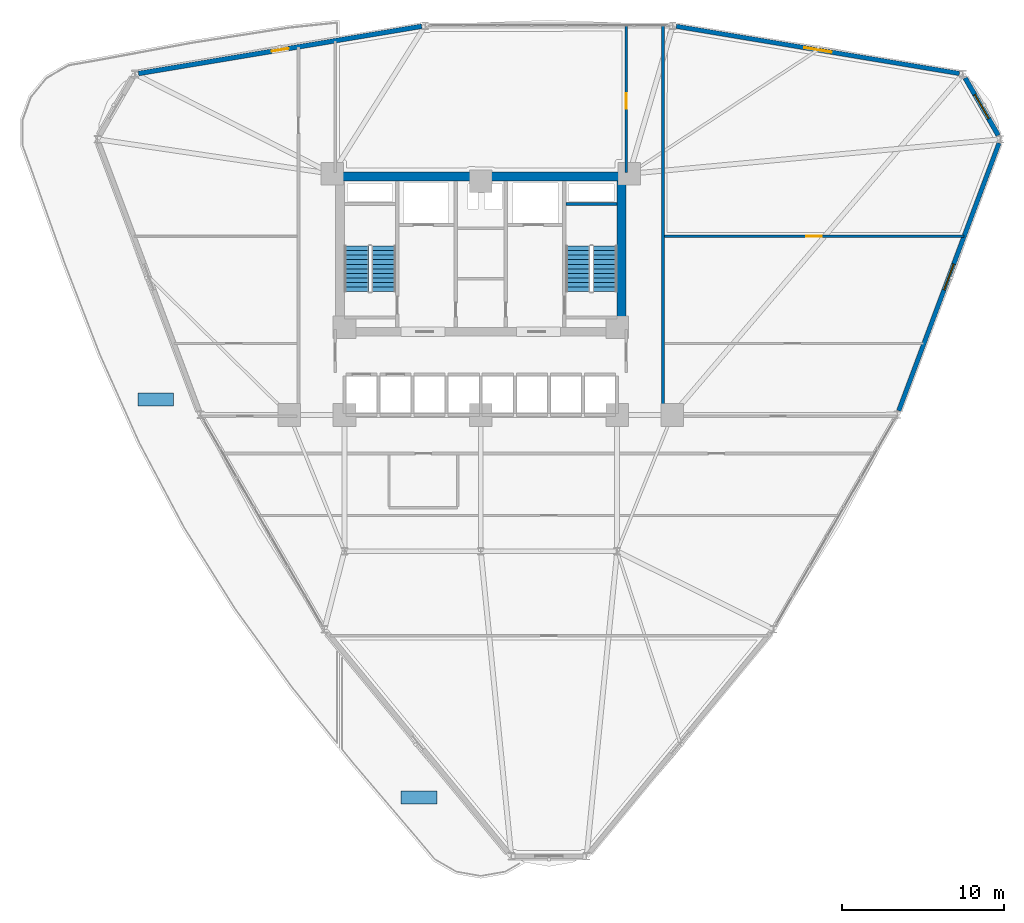
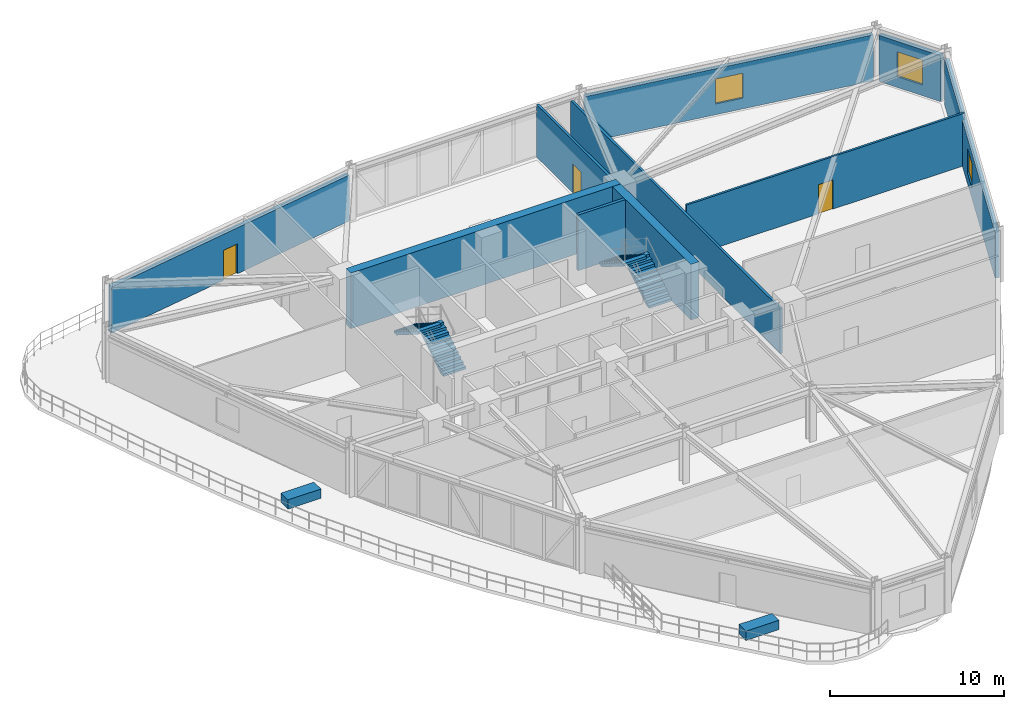
# One storey, part 16 of 21: 10 walls, 4 stair flights, 3 doors, 3 windows, 2 discrete accessories, 6 openings, 2 elements without a shape of their own.
"""IFC4 building model written with IfcOpenShell, lengths in metres."""

from ifc_helpers import new_model, si_unit, derived_unit, direction, frame, frame_2d, origin, origin_2d, place, context, subcontext, project, spatial, polyline, rectangle, outline, extrude, source, transform, mapped, material, layer, layer_set, type_object, element, fill, aggregate, save


model = new_model("IFC4")

# Units and contexts
model_context = context("Model", 3, precision=1e-05, world=origin(), true_north=direction((0.0, 1.0)))
body_context = subcontext(model_context, "Body", "Model", "MODEL_VIEW")
ifc_project = project(units=[si_unit("LENGTHUNIT", "METRE"), si_unit("AREAUNIT", "SQUARE_METRE"), si_unit("VOLUMEUNIT", "CUBIC_METRE"), si_unit("PLANEANGLEUNIT", "RADIAN"), si_unit("MASSUNIT", "GRAM", prefix="KILO"), derived_unit("THERMALTRANSMITTANCEUNIT", [(si_unit("POWERUNIT", "WATT"), 1), (si_unit("LENGTHUNIT", "METRE"), -2), (si_unit("THERMODYNAMICTEMPERATUREUNIT", "KELVIN"), -1)])], contexts=[model_context])

# Site, building, storey
site_placement = place(None, origin())
site = spatial("IfcSite", under=ifc_project, at=site_placement, CompositionType="ELEMENT")
building_placement = place(site_placement, origin())
building = spatial("IfcBuilding", under=site, at=building_placement, Name="Korsvarv Bourse and Concert Hall", CompositionType="ELEMENT")
storey_placement = place(building_placement, frame((0.0, 0.0, 63.89990234375)))
storey = spatial("IfcBuildingStorey", under=building, at=storey_placement, Name="L15", CompositionType="ELEMENT", Elevation=63.89990234375)

# Walls
ifc_material_1 = material(Name="Concrete C50/60", Category="concrete")
ifc_layer_1 = layer(ifc_material_1, 0.3798828125)
ifc_layer_set_1 = layer_set([ifc_layer_1], Name="Concrete C50/60")
wall_type_1 = type_object("IfcWallType", Name="WL-CORE-380", PredefinedType="SHEAR", material=ifc_layer_set_1)
wall_1_placement = place(storey_placement, frame((41.25, 45.39990234375, 0.0), z_axis=(0.0, 0.0, 1.0), x_axis=(1.0, 0.0, 0.0)))
element("IfcWall", 1, at=wall_1_placement, inside=storey, type_object=wall_type_1, Name="L15 stair shaft structural wall W-L15-ST2-N", PredefinedType="SHEAR", context=body_context, shape_type="SweptSolid", body=[
    extrude(rectangle(XDim=3.139892578125, YDim=0.199951171875, at=frame_2d((1.56982421875, 0.0))), origin(), (0.0, 0.0, 1.0), 3.900146484375),
])
ifc_material_2 = material(Name="Concrete C60/75", Category="concrete")
ifc_layer_2 = layer(ifc_material_2, 0.550048828125)
ifc_layer_set_2 = layer_set([ifc_layer_2], Name="Concrete C60/75")
wall_type_2 = type_object("IfcWallType", Name="WL-CORE-550", PredefinedType="SHEAR", material=ifc_layer_set_2)
wall_2_placement = place(storey_placement, frame((27.050048828125, 47.074951171875, 0.0), z_axis=(0.0, 0.0, 1.0), x_axis=(1.0, 0.0, 0.0)))
element("IfcWall", 2, at=wall_2_placement, inside=storey, type_object=wall_type_2, Name="L15 North Core Shear Wall", PredefinedType="SHEAR", context=body_context, shape_type="SweptSolid", body=[
    extrude(rectangle(XDim=17.89990234375, YDim=0.550048828125, at=frame_2d((8.949951171875, 0.0))), origin(), (0.0, 0.0, 1.0), 3.900146484375),
])
wall_3_placement = place(storey_placement, frame((44.675048828125, 37.800048828125, 0.0), z_axis=(0.0, 0.0, 1.0), x_axis=(0.0, 1.0, 0.0)))
element("IfcWall", 3, at=wall_3_placement, inside=storey, type_object=wall_type_2, Name="L15 East Core Shear Wall", PredefinedType="SHEAR", context=body_context, shape_type="SweptSolid", body=[
    extrude(rectangle(XDim=9.0, YDim=0.550048828125, at=frame_2d((4.5, 0.0))), origin(), (0.0, 0.0, 1.0), 3.900146484375),
])

# Wall, opening, window
ifc_material_3 = material(Name="Precast concrete C45/55 with terracotta rainscreen", Category="concrete")
ifc_layer_3 = layer(ifc_material_3, 0.300048828125)
ifc_layer_set_3 = layer_set([ifc_layer_3], Name="Precast concrete C45/55 with terracotta rainscreen")
wall_type_3 = type_object("IfcWallType", Name="WL-EXT-TC1", PredefinedType="SOLIDWALL", material=ifc_layer_set_3)
wall_4_placement = place(storey_placement, frame((67.876953125, 49.624267578125, 0.0), z_axis=(0.0, 0.0, 1.0), x_axis=(-0.500014317814, 0.866017137233, 0.0)))
wall_4 = element("IfcWall", 4, at=wall_4_placement, inside=storey, type_object=wall_type_3, Name="L15 terracotta exterior wall EW-L15-B01", PredefinedType="SOLIDWALL", context=body_context, shape_type="SweptSolid", body=[
    extrude(rectangle(XDim=4.0791015625, YDim=0.300048828125, at=frame_2d((2.03955078125, 0.0))), origin(), (0.0, 0.0, 1.0), 3.22998046875),
])
opening_1_placement = place(wall_4_placement, frame((1.189453125, 0.0, 0.75)))
opening_1 = element("IfcOpeningElement", 5, at=opening_1_placement, cuts=wall_4, Name="Opening W-01", PredefinedType="OPENING", context=body_context, shape_type="SweptSolid", body=[
    extrude(rectangle(XDim=1.699951171875, YDim=1.75, at=frame_2d((0.85009765625, 0.875))), frame((0.0, 0.16015625, 0.0), z_axis=(0.0, -1.0, 0.0), x_axis=(1.0, 0.0, 0.0)), (0.0, 0.0, 1.0), 0.320068359375),
])
ifc_material_4 = material(Name="Thermally broken aluminium frame with triple low-E glass", Category="glass")
window_type = type_object("IfcWindowType", Name="WIN-TW1", PartitioningType="SINGLE_PANEL", PredefinedType="WINDOW", material=ifc_material_4)
window_1_placement = place(opening_1_placement, origin())
window_1 = element("IfcWindow", 6, at=window_1_placement, inside=storey, type_object=window_type, Name="L15 punched facade window W-01", OverallHeight=1.75, OverallWidth=1.699951171875, PartitioningType="SINGLE_PANEL", PredefinedType="WINDOW", context=body_context, shape_type="SweptSolid", body=[
    extrude(rectangle(XDim=1.699951171875, YDim=1.75, at=frame_2d((0.85009765625, 0.875))), frame((0.0, 0.030029296875, 0.0), z_axis=(0.0, -1.0, 0.0), x_axis=(1.0, 0.0, 0.0)), (0.0, 0.0, 1.0), 0.06005859375),
])
fill(opening_1, window_1)

# Wall, opening, door
wall_5_placement = place(storey_placement, frame((32.356201171875, 56.340576171875, 0.0), z_axis=(0.0, 0.0, 1.0), x_axis=(-0.986399895449, -0.16436315359, 0.0)))
wall_5 = element("IfcWall", 7, at=wall_5_placement, inside=storey, type_object=wall_type_3, Name="L15 terracotta exterior wall EW-L15-B04", PredefinedType="SOLIDWALL", context=body_context, shape_type="SweptSolid", body=[
    extrude(rectangle(XDim=17.677490234375, YDim=0.300048828125, at=frame_2d((8.8388671875, 0.0))), origin(), (0.0, 0.0, 1.0), 3.22998046875),
])
opening_2_placement = place(wall_5_placement, frame((8.313720703125, 0.0, 0.0)))
opening_2 = element("IfcOpeningElement", 8, at=opening_2_placement, cuts=wall_5, Name="Opening ED-02", PredefinedType="OPENING", context=body_context, shape_type="SweptSolid", body=[
    extrude(rectangle(XDim=1.050048828125, YDim=2.10009765625, at=frame_2d((0.52490234375, 1.050048828125))), frame((0.0, 0.16015625, 0.0), z_axis=(0.0, -1.0, 0.0), x_axis=(1.0, 0.0, 0.0)), (0.0, 0.0, 1.0), 0.320068359375),
])
ifc_material_5 = material(Name="Thermally broken anodised aluminium and laminated safety glass", Category="aluminium")
door_type_1 = type_object("IfcDoorType", Name="DR-EXT-TERR", OperationType="NOTDEFINED", PredefinedType="DOOR", material=ifc_material_5)
door_1_placement = place(opening_2_placement, frame((1.050048828125, 0.0, 0.0), z_axis=(0.0, 0.0, 1.0), x_axis=(-1.0, 0.0, 0.0)))
door_1 = element("IfcDoor", 9, at=door_1_placement, inside=storey, type_object=door_type_1, Name="L15 Sky Garden Terrace Access Door", OperationType="SINGLE_SWING_RIGHT", OverallHeight=2.10009765625, OverallWidth=1.050048828125, PredefinedType="DOOR", context=body_context, shape_type="SweptSolid", body=[
    extrude(rectangle(XDim=1.050048828125, YDim=2.10009765625, at=frame_2d((0.52490234375, 1.050048828125))), frame((0.0, 0.02490234375, 0.0), z_axis=(0.0, -1.0, 0.0), x_axis=(1.0, 0.0, 0.0)), (0.0, 0.0, 1.0), 0.050048828125),
])
fill(opening_2, door_1)

# Wall, opening, window
ifc_material_6 = material(Name="Precast concrete C45/55 with fluted terracotta pier", Category="concrete")
ifc_layer_4 = layer(ifc_material_6, 0.280029296875)
ifc_layer_set_4 = layer_set([ifc_layer_4], Name="Precast concrete C45/55 with fluted terracotta pier")
wall_type_4 = type_object("IfcWallType", Name="WL-EXT-TC2", PredefinedType="SOLIDWALL", material=ifc_layer_set_4)
wall_6_placement = place(storey_placement, frame((65.480712890625, 53.43505859375, 0.0), z_axis=(0.0, 0.0, 1.0), x_axis=(-0.986399895449, 0.16436315359, 0.0)))
wall_6 = element("IfcWall", 10, at=wall_6_placement, inside=storey, type_object=wall_type_4, Name="L15 terracotta exterior wall EW-L15-B02", PredefinedType="SOLIDWALL", context=body_context, shape_type="SweptSolid", body=[
    extrude(rectangle(XDim=17.677490234375, YDim=0.280029296875, at=frame_2d((8.8388671875, 0.0))), origin(), (0.0, 0.0, 1.0), 3.22998046875),
])
opening_3_placement = place(wall_6_placement, frame((7.98876953125, 0.0, 0.75)))
opening_3 = element("IfcOpeningElement", 11, at=opening_3_placement, cuts=wall_6, Name="Opening W-01", PredefinedType="OPENING", context=body_context, shape_type="SweptSolid", body=[
    extrude(rectangle(XDim=1.699951171875, YDim=1.75, at=frame_2d((0.85009765625, 0.875))), frame((0.0, 0.14990234375, 0.0), z_axis=(0.0, -1.0, 0.0), x_axis=(1.0, 0.0, 0.0)), (0.0, 0.0, 1.0), 0.300048828125),
])
window_2_placement = place(opening_3_placement, origin())
window_2 = element("IfcWindow", 12, at=window_2_placement, inside=storey, type_object=window_type, Name="L15 punched facade window W-01", OverallHeight=1.75, OverallWidth=1.699951171875, PartitioningType="SINGLE_PANEL", PredefinedType="WINDOW", context=body_context, shape_type="SweptSolid", body=[
    extrude(rectangle(XDim=1.699951171875, YDim=1.75, at=frame_2d((0.85009765625, 0.875))), frame((0.0, 0.030029296875, 0.0), z_axis=(0.0, -1.0, 0.0), x_axis=(1.0, 0.0, 0.0)), (0.0, 0.0, 1.0), 0.06005859375),
])
fill(opening_3, window_2)

wall_7_placement = place(storey_placement, frame((61.7509765625, 32.658447265625, 0.0), z_axis=(0.0, 0.0, 1.0), x_axis=(0.350833077365, 0.936438012805, 0.0)))
wall_7 = element("IfcWall", 13, at=wall_7_placement, inside=storey, type_object=wall_type_4, Name="L15 terracotta exterior wall EW-L15-B12", PredefinedType="SOLIDWALL", context=body_context, shape_type="SweptSolid", body=[
    extrude(rectangle(XDim=17.600341796875, YDim=0.280029296875, at=frame_2d((8.80029296875, 0.0))), origin(), (0.0, 0.0, 1.0), 3.22998046875),
])
opening_4_placement = place(wall_7_placement, frame((7.9501953125, 0.0, 0.75)))
opening_4 = element("IfcOpeningElement", 14, at=opening_4_placement, cuts=wall_7, Name="Opening W-01", PredefinedType="OPENING", context=body_context, shape_type="SweptSolid", body=[
    extrude(rectangle(XDim=1.699951171875, YDim=1.75, at=frame_2d((0.85009765625, 0.875))), frame((0.0, 0.14990234375, 0.0), z_axis=(0.0, -1.0, 0.0), x_axis=(1.0, 0.0, 0.0)), (0.0, 0.0, 1.0), 0.300048828125),
])
window_3_placement = place(opening_4_placement, origin())
window_3 = element("IfcWindow", 15, at=window_3_placement, inside=storey, type_object=window_type, Name="L15 punched facade window W-01", OverallHeight=1.75, OverallWidth=1.699951171875, PartitioningType="SINGLE_PANEL", PredefinedType="WINDOW", context=body_context, shape_type="SweptSolid", body=[
    extrude(rectangle(XDim=1.699951171875, YDim=1.75, at=frame_2d((0.85009765625, 0.875))), frame((0.0, 0.030029296875, 0.0), z_axis=(0.0, -1.0, 0.0), x_axis=(1.0, 0.0, 0.0)), (0.0, 0.0, 1.0), 0.06005859375),
])
fill(opening_4, window_3)

# Wall
ifc_material_7 = material(Name="Double-stud fire-rated acoustic partition", Category="gypsum")
ifc_layer_5 = layer(ifc_material_7, 0.159912109375)
ifc_layer_set_5 = layer_set([ifc_layer_5], Name="Double-stud fire-rated acoustic partition")
wall_type_5 = type_object("IfcWallType", Name="WL-INT-EI60", PredefinedType="PARTITIONING", material=ifc_layer_set_5)
wall_8_placement = place(storey_placement, frame((47.22509765625, 32.31005859375, 0.0), z_axis=(0.0, 0.0, 1.0), x_axis=(0.0, 1.0, 0.0)))
element("IfcWall", 16, at=wall_8_placement, inside=storey, type_object=wall_type_5, Name="L15 interior partition wall W-L15-TCOR-02", PredefinedType="PARTITIONING", context=body_context, shape_type="SweptSolid", body=[
    extrude(rectangle(XDim=24.046630859375, YDim=0.159912109375, at=frame_2d((12.0234375, 0.0))), origin(), (0.0, 0.0, 1.0), 3.18017578125),
])

# Wall, opening, door
wall_9_placement = place(storey_placement, frame((44.965087890625, 47.340087890625, 0.0), z_axis=(0.0, 0.0, 1.0), x_axis=(0.0, 1.0, 0.0)))
wall_9 = element("IfcWall", 17, at=wall_9_placement, inside=storey, type_object=wall_type_5, Name="L15 interior partition wall W-L15-TCOR-05", PredefinedType="PARTITIONING", context=body_context, shape_type="SweptSolid", body=[
    extrude(rectangle(XDim=9.0166015625, YDim=0.159912109375, at=frame_2d((4.50830078125, 0.0))), origin(), (0.0, 0.0, 1.0), 3.68017578125),
])
opening_5_placement = place(wall_9_placement, frame((3.92724609375, 0.0, 0.0)))
opening_5 = element("IfcOpeningElement", 18, at=opening_5_placement, cuts=wall_9, Name="Opening D-02", PredefinedType="OPENING", context=body_context, shape_type="SweptSolid", body=[
    extrude(rectangle(XDim=0.949951171875, YDim=2.050048828125, at=frame_2d((0.47509765625, 1.02490234375))), frame((0.0, 0.08984375, 0.0), z_axis=(0.0, -1.0, 0.0), x_axis=(1.0, 0.0, 0.0)), (0.0, 0.0, 1.0), 0.179931640625),
])
ifc_material_8 = material(Name="Timber and steel acoustic fire door", Category="wood")
door_type_2 = type_object("IfcDoorType", Name="DR-FD30", OperationType="NOTDEFINED", PredefinedType="DOOR", material=ifc_material_8)
door_2_placement = place(opening_5_placement, origin())
door_2 = element("IfcDoor", 19, at=door_2_placement, inside=storey, type_object=door_type_2, Name="L15 interior door DR-L15-TCOR-RM77", OperationType="SINGLE_SWING_LEFT", OverallHeight=2.050048828125, OverallWidth=0.949951171875, PredefinedType="DOOR", context=body_context, shape_type="SweptSolid", body=[
    extrude(rectangle(XDim=0.949951171875, YDim=2.050048828125, at=frame_2d((0.47509765625, 1.02490234375))), frame((0.0, 0.02490234375, 0.0), z_axis=(0.0, -1.0, 0.0), x_axis=(1.0, 0.0, 0.0)), (0.0, 0.0, 1.0), 0.050048828125),
])
fill(opening_5, door_2)

ifc_material_9 = material(Name="Insulated steel-stud office acoustic partition", Category="gypsum")
ifc_layer_6 = layer(ifc_material_9, 0.139892578125)
ifc_layer_set_6 = layer_set([ifc_layer_6], Name="Insulated steel-stud office acoustic partition")
wall_type_6 = type_object("IfcWallType", Name="WL-INT-P1", PredefinedType="PARTITIONING", material=ifc_layer_set_6)
wall_10_placement = place(storey_placement, frame((47.306884765625, 43.405029296875, 0.0), z_axis=(0.0, 0.0, 1.0), x_axis=(1.0, 0.0, 0.0)))
wall_10 = element("IfcWall", 20, at=wall_10_placement, inside=storey, type_object=wall_type_6, Name="L15 interior partition wall W-L15-TCOR-10", PredefinedType="PARTITIONING", context=body_context, shape_type="SweptSolid", body=[
    extrude(rectangle(XDim=18.4501953125, YDim=0.139892578125, at=frame_2d((9.22509765625, 0.0))), origin(), (0.0, 0.0, 1.0), 3.68017578125),
])
opening_6_placement = place(wall_10_placement, frame((8.75, 0.0, 0.0)))
opening_6 = element("IfcOpeningElement", 21, at=opening_6_placement, cuts=wall_10, Name="Opening D-03", PredefinedType="OPENING", context=body_context, shape_type="SweptSolid", body=[
    extrude(rectangle(XDim=0.949951171875, YDim=2.050048828125, at=frame_2d((0.47509765625, 1.02490234375))), frame((0.0, 0.080078125, 0.0), z_axis=(0.0, -1.0, 0.0), x_axis=(1.0, 0.0, 0.0)), (0.0, 0.0, 1.0), 0.159912109375),
])
ifc_material_10 = material(Name="Nordic oak acoustic office door", Category="wood")
door_type_3 = type_object("IfcDoorType", Name="DR-INT-1", OperationType="NOTDEFINED", PredefinedType="DOOR", material=ifc_material_10)
door_3_placement = place(opening_6_placement, origin())
door_3 = element("IfcDoor", 22, at=door_3_placement, inside=storey, type_object=door_type_3, Name="L15 interior door DR-L15-TCOR-RM33", OperationType="SINGLE_SWING_LEFT", OverallHeight=2.050048828125, OverallWidth=0.949951171875, PredefinedType="DOOR", context=body_context, shape_type="SweptSolid", body=[
    extrude(rectangle(XDim=0.949951171875, YDim=2.050048828125, at=frame_2d((0.47509765625, 1.02490234375))), frame((0.0, 0.02490234375, 0.0), z_axis=(0.0, -1.0, 0.0), x_axis=(1.0, 0.0, 0.0)), (0.0, 0.0, 1.0), 0.050048828125),
])
fill(opening_6, door_3)

# Stair, stair flights
ifc_material_11 = material(Name="Precast concrete C45/55", Category="concrete")
stair_type = type_object("IfcStairType", Name="STR-TYPE-03", PredefinedType="HALF_TURN_STAIR", material=ifc_material_11)
stair_1_placement = place(storey_placement, origin())
stair_1 = element("IfcStair", 23, at=stair_1_placement, inside=storey, type_object=stair_type, Name="L15 Tower West Exit Stair ST-T1", PredefinedType="HALF_TURN_STAIR")
stair_flight_type = type_object("IfcStairFlightType", Name="FLT-TYPE-03", PredefinedType="STRAIGHT", material=ifc_material_11)
stair_flight_1_placement = place(storey_placement, frame((30.010009765625, 40.0, 0.0), z_axis=(0.0, 0.0, 1.0), x_axis=(0.0, 1.0, 0.0)))
stair_flight_1 = element("IfcStairFlight", 24, at=stair_flight_1_placement, type_object=stair_flight_type, Name="ST-T1 flight 1", NumberOfRisers=11, NumberOfTreads=10, PredefinedType="STRAIGHT", RiserHeight=0.177272727, TreadLength=0.28, context=body_context, shape_type="SweptSolid", body=[
    extrude(outline(polyline([(0.0, 0.0), (0.0, 0.17724609375), (0.280029296875, 0.17724609375), (0.280029296875, 0.3544921875), (0.56005859375, 0.3544921875), (0.56005859375, 0.53173828125), (0.840087890625, 0.53173828125), (0.840087890625, 0.708984375), (1.1201171875, 0.708984375), (1.1201171875, 0.886474609375), (1.39990234375, 0.886474609375), (1.39990234375, 1.063720703125), (1.679931640625, 1.063720703125), (1.679931640625, 1.240966796875), (1.9599609375, 1.240966796875), (1.9599609375, 1.418212890625), (2.239990234375, 1.418212890625), (2.239990234375, 1.595458984375), (2.52001953125, 1.595458984375), (2.52001953125, 1.772705078125), (2.800048828125, 1.772705078125), (2.800048828125, 1.949951171875), (2.800048828125, 1.59521484375), (0.2802734375, 0.0), (0.0, 0.0)])), frame((0.0, 0.75, 0.0), z_axis=(0.0, -1.0, 0.0), x_axis=(1.0, 0.0, 0.0)), (0.0, 0.0, 1.0), 1.5),
])
stair_flight_2_placement = place(storey_placement, frame((28.35009765625, 42.800048828125, 1.9501953125), z_axis=(0.0, 0.0, 1.0), x_axis=(0.0, -1.0, 0.0)))
stair_flight_2 = element("IfcStairFlight", 25, at=stair_flight_2_placement, type_object=stair_flight_type, Name="ST-T1 flight 2", NumberOfRisers=11, NumberOfTreads=10, PredefinedType="STRAIGHT", RiserHeight=0.177272727, TreadLength=0.28, context=body_context, shape_type="SweptSolid", body=[
    extrude(outline(polyline([(0.0, 0.0), (0.0, 0.17724609375), (0.280029296875, 0.17724609375), (0.280029296875, 0.3544921875), (0.56005859375, 0.3544921875), (0.56005859375, 0.53173828125), (0.840087890625, 0.53173828125), (0.840087890625, 0.708984375), (1.1201171875, 0.708984375), (1.1201171875, 0.886474609375), (1.39990234375, 0.886474609375), (1.39990234375, 1.063720703125), (1.679931640625, 1.063720703125), (1.679931640625, 1.240966796875), (1.9599609375, 1.240966796875), (1.9599609375, 1.418212890625), (2.239990234375, 1.418212890625), (2.239990234375, 1.595458984375), (2.52001953125, 1.595458984375), (2.52001953125, 1.772705078125), (2.800048828125, 1.772705078125), (2.800048828125, 1.949951171875), (2.800048828125, 1.59521484375), (0.2802734375, 0.0), (0.0, 0.0)])), frame((0.0, 0.75, 0.0), z_axis=(0.0, -1.0, 0.0), x_axis=(1.0, 0.0, 0.0)), (0.0, 0.0, 1.0), 1.5),
])
aggregate(stair_1, [stair_flight_1, stair_flight_2])

stair_2_placement = place(storey_placement, origin())
stair_2 = element("IfcStair", 26, at=stair_2_placement, inside=storey, type_object=stair_type, Name="L15 Tower East Exit Stair ST-T2", PredefinedType="HALF_TURN_STAIR")
stair_flight_3_placement = place(storey_placement, frame((43.64990234375, 40.0, 0.0), z_axis=(0.0, 0.0, 1.0), x_axis=(0.0, 1.0, 0.0)))
stair_flight_3 = element("IfcStairFlight", 27, at=stair_flight_3_placement, type_object=stair_flight_type, Name="ST-T2 flight 1", NumberOfRisers=11, NumberOfTreads=10, PredefinedType="STRAIGHT", RiserHeight=0.177272727, TreadLength=0.28, context=body_context, shape_type="SweptSolid", body=[
    extrude(outline(polyline([(0.0, 0.0), (0.0, 0.17724609375), (0.280029296875, 0.17724609375), (0.280029296875, 0.3544921875), (0.56005859375, 0.3544921875), (0.56005859375, 0.53173828125), (0.840087890625, 0.53173828125), (0.840087890625, 0.708984375), (1.1201171875, 0.708984375), (1.1201171875, 0.886474609375), (1.39990234375, 0.886474609375), (1.39990234375, 1.063720703125), (1.679931640625, 1.063720703125), (1.679931640625, 1.240966796875), (1.9599609375, 1.240966796875), (1.9599609375, 1.418212890625), (2.239990234375, 1.418212890625), (2.239990234375, 1.595458984375), (2.52001953125, 1.595458984375), (2.52001953125, 1.772705078125), (2.800048828125, 1.772705078125), (2.800048828125, 1.949951171875), (2.800048828125, 1.59521484375), (0.2802734375, 0.0), (0.0, 0.0)])), frame((0.0, 0.75, 0.0), z_axis=(0.0, -1.0, 0.0), x_axis=(1.0, 0.0, 0.0)), (0.0, 0.0, 1.0), 1.5),
])
stair_flight_4_placement = place(storey_placement, frame((41.989990234375, 42.800048828125, 1.9501953125), z_axis=(0.0, 0.0, 1.0), x_axis=(0.0, -1.0, 0.0)))
stair_flight_4 = element("IfcStairFlight", 28, at=stair_flight_4_placement, type_object=stair_flight_type, Name="ST-T2 flight 2", NumberOfRisers=11, NumberOfTreads=10, PredefinedType="STRAIGHT", RiserHeight=0.177272727, TreadLength=0.28, context=body_context, shape_type="SweptSolid", body=[
    extrude(outline(polyline([(0.0, 0.0), (0.0, 0.17724609375), (0.280029296875, 0.17724609375), (0.280029296875, 0.3544921875), (0.56005859375, 0.3544921875), (0.56005859375, 0.53173828125), (0.840087890625, 0.53173828125), (0.840087890625, 0.708984375), (1.1201171875, 0.708984375), (1.1201171875, 0.886474609375), (1.39990234375, 0.886474609375), (1.39990234375, 1.063720703125), (1.679931640625, 1.063720703125), (1.679931640625, 1.240966796875), (1.9599609375, 1.240966796875), (1.9599609375, 1.418212890625), (2.239990234375, 1.418212890625), (2.239990234375, 1.595458984375), (2.52001953125, 1.595458984375), (2.52001953125, 1.772705078125), (2.800048828125, 1.772705078125), (2.800048828125, 1.949951171875), (2.800048828125, 1.59521484375), (0.2802734375, 0.0), (0.0, 0.0)])), frame((0.0, 0.75, 0.0), z_axis=(0.0, -1.0, 0.0), x_axis=(1.0, 0.0, 0.0)), (0.0, 0.0, 1.0), 1.5),
])
aggregate(stair_2, [stair_flight_3, stair_flight_4])

# Discrete accessories
ifc_material_12 = material(Name="Architectural precast concrete C45/55 with terracotta facing", Category="concrete")
discrete_accessory_type = type_object("IfcDiscreteAccessoryType", Name="ACC-PLN-1", PredefinedType="USERDEFINED", material=ifc_material_12)
shared_shape = source(origin(), body_context, "Body", "SweptSolid", [
    extrude(rectangle(XDim=2.199951171875, YDim=0.800048828125, at=origin_2d()), origin(), (0.0, 0.0, 1.0), 0.64990234375),
])
for number, where, z_axis, x_axis, name in (
    (29, (15.98828125, 33.364990234375, 0.000244140625), (0.0, 0.0, 1.0), (1.0, 0.0, 0.0), "L15 landscaped terracotta planter 1"),
    (30, (32.197021484375, 8.833740234375, 0.000244140625), (0.0, 0.0, 1.0), (1.0, 0.0, 0.0), "L15 landscaped terracotta planter 1"),
):
    element("IfcDiscreteAccessory", number, at=place(storey_placement, frame(where, z_axis=z_axis, x_axis=x_axis)), inside=storey, type_object=discrete_accessory_type, Name=name, ObjectType="PLANTER", PredefinedType="USERDEFINED", context=body_context, shape_type="MappedRepresentation", body=[
        mapped(shared_shape, transform((0.0, 0.0, 0.0), scale=1.0)),
    ])

save(model, "model.ifc")
